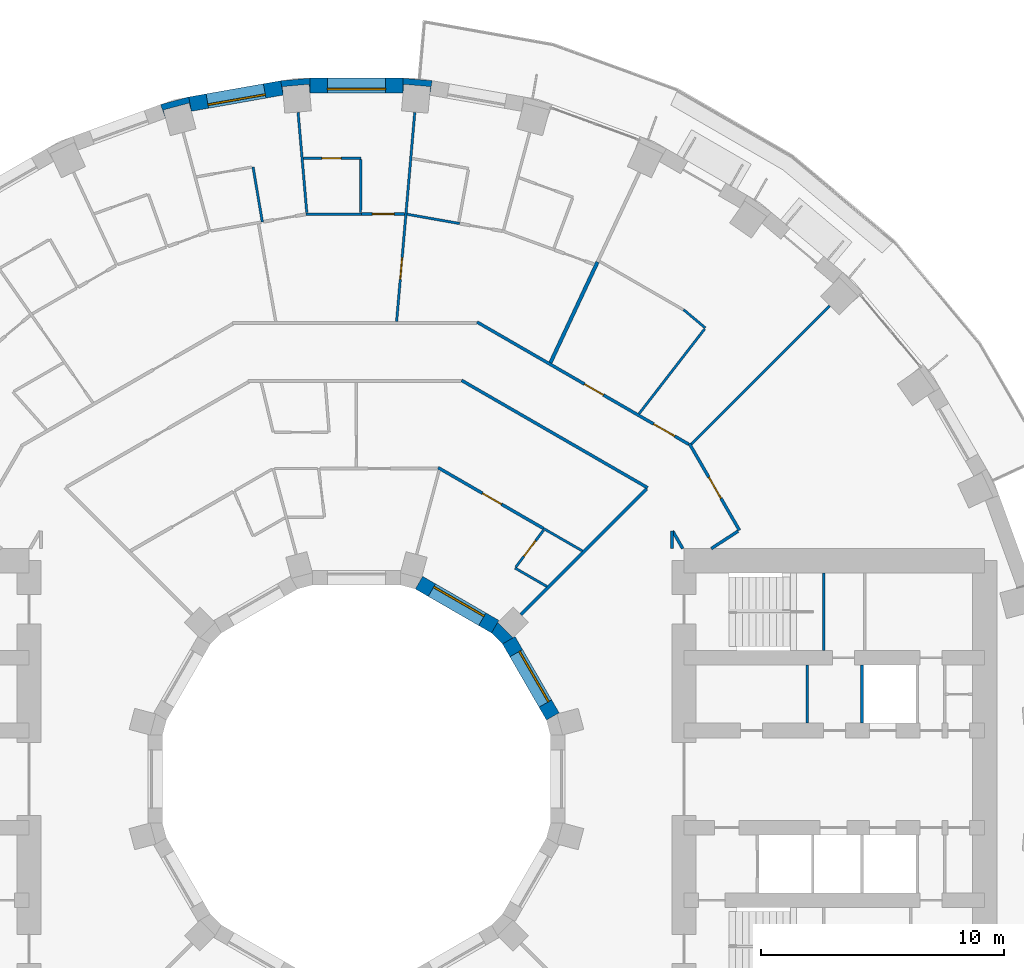
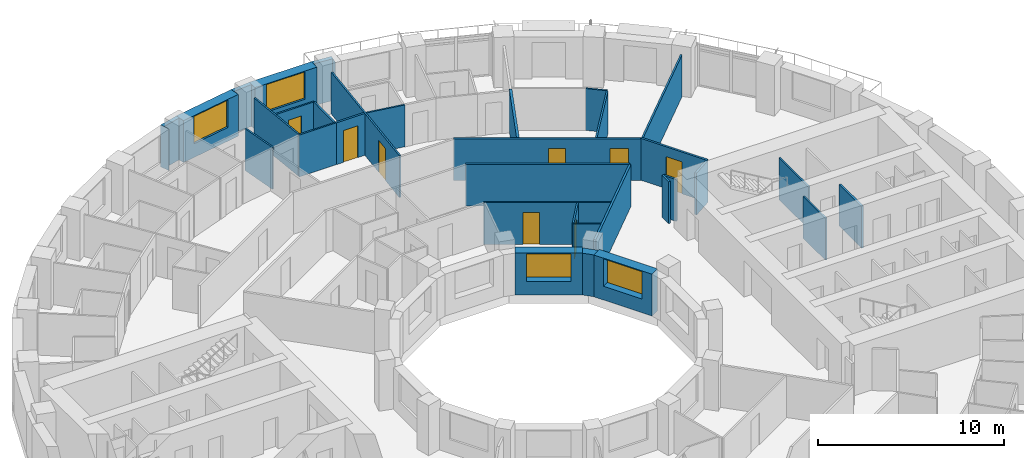
# One storey, part 12 of 15: 34 walls, 8 doors, 4 windows, 12 openings.
"""IFC4 building model written with IfcOpenShell, lengths in metres."""

from ifc_helpers import new_model, si_unit, direction, frame, frame_2d, origin, place, context, subcontext, project, spatial, polyline, rectangle, outline, extrude, material, layer, layer_set, type_object, element, fill, save


model = new_model("IFC4")

# Units and contexts
model_context = context("Model", 3, precision=1e-05, world=origin(), true_north=direction((0.0, 1.0)))
body_context = subcontext(model_context, "Body", "Model", "MODEL_VIEW")
ifc_project = project(units=[si_unit("LENGTHUNIT", "METRE"), si_unit("AREAUNIT", "SQUARE_METRE"), si_unit("VOLUMEUNIT", "CUBIC_METRE"), si_unit("PLANEANGLEUNIT", "RADIAN"), si_unit("MASSUNIT", "GRAM", prefix="KILO")], contexts=[model_context])

# Site, building, storey
site_placement = place(None, origin())
site = spatial("IfcSite", under=ifc_project, at=site_placement, CompositionType="ELEMENT")
building_placement = place(site_placement, origin())
building = spatial("IfcBuilding", under=site, at=building_placement, Name="Saqina Gate Tower", CompositionType="ELEMENT")
storey_placement = place(building_placement, frame((0.0, 0.0, 69.199951171875)))
storey = spatial("IfcBuildingStorey", under=building, at=storey_placement, Name="L19", CompositionType="ELEMENT", Elevation=69.199951171875)

# Walls
ifc_material_1 = material(Name="Brick masonry (red)", Category="masonry")
wall_type_1 = type_object("IfcWallType", Name="BRICK PIER COPING RED", PredefinedType="SOLIDWALL", material=ifc_material_1)
wall_1_placement = place(storey_placement, origin())
element("IfcWall", 1, at=wall_1_placement, inside=storey, type_object=wall_type_1, Name="Pier cap L19 column 9", PredefinedType="SOLIDWALL", context=body_context, shape_type="SweptSolid", body=[
    extrude(outline(polyline([(3.122802734375, 28.78466796875), (1.9228515625, 28.8896484375), (1.9228515625, 28.28955078125), (1.95361328125, 28.638671875), (3.04931640625, 28.54296875), (3.018798828125, 28.19384765625), (3.122802734375, 28.78466796875)])), origin(), (0.0, 0.0, 1.0), 2.75),
])
wall_2_placement = place(storey_placement, origin())
element("IfcWall", 2, at=wall_2_placement, inside=storey, type_object=wall_type_1, Name="Pier cap L19 column 10", PredefinedType="SOLIDWALL", context=body_context, shape_type="SweptSolid", body=[
    extrude(outline(polyline([(-1.9228515625, 28.8896484375), (-3.122802734375, 28.78466796875), (-3.018798828125, 28.19384765625), (-3.04931640625, 28.54296875), (-1.95361328125, 28.638671875), (-1.9228515625, 28.28955078125), (-1.9228515625, 28.8896484375)])), origin(), (0.0, 0.0, 1.0), 2.75),
])
wall_3_placement = place(storey_placement, origin())
element("IfcWall", 3, at=wall_3_placement, inside=storey, type_object=wall_type_1, Name="Pier cap L19 column 11", PredefinedType="SOLIDWALL", context=body_context, shape_type="SweptSolid", body=[
    extrude(outline(polyline([(-6.910400390625, 28.11669921875), (-8.073974609375, 27.80517578125), (-7.86865234375, 27.2412109375), (-7.95947265625, 27.57958984375), (-6.896728515625, 27.864501953125), (-6.80615234375, 27.52587890625), (-6.910400390625, 28.11669921875)])), origin(), (0.0, 0.0, 1.0), 2.75),
])
ifc_material_2 = material(Name="Gypsum board on steel studs", Category="steel")
ifc_layer_1 = layer(ifc_material_2, 0.10009765625)
ifc_layer_set_1 = layer_set([ifc_layer_1], Name="CORE PARTITION")
wall_type_2 = type_object("IfcWallType", Name="CORE PARTITION", PredefinedType="PARTITIONING", material=ifc_layer_set_1)
wall_4_placement = place(storey_placement, frame((18.582763671875, 2.300048828125, 0.0), z_axis=(0.0, 0.0, 1.0), x_axis=(0.0, 1.0, 0.0)))
element("IfcWall", 4, at=wall_4_placement, inside=storey, type_object=wall_type_2, Name="L19-CP-E01", PredefinedType="PARTITIONING", context=body_context, shape_type="SweptSolid", body=[
    extrude(rectangle(XDim=2.39990234375, YDim=0.10009765625, at=frame_2d((1.199951171875, 0.0))), origin(), (0.0, 0.0, 1.0), 2.75),
])

# Wall, opening, window
ifc_material_3 = material(Name="Brick masonry (red)", Category="masonry")
ifc_layer_2 = layer(ifc_material_3, 0.60009765625)
ifc_layer_set_2 = layer_set([ifc_layer_2], Name="FW-BRICK-RED")
wall_type_3 = type_object("IfcWallType", Name="FW-BRICK-RED", PredefinedType="SOLIDWALL", material=ifc_layer_set_2)
wall_5_placement = place(storey_placement, frame((1.9228515625, 28.589599609375, 0.0), z_axis=(0.0, 0.0, 1.0), x_axis=(-1.0, 0.0, 0.0)))
wall_5 = element("IfcWall", 5, at=wall_5_placement, inside=storey, type_object=wall_type_3, Name="Facade wall L19 facet 9", PredefinedType="SOLIDWALL", context=body_context, shape_type="SweptSolid", body=[
    extrude(rectangle(XDim=3.845703125, YDim=0.60009765625, at=frame_2d((1.9228515625, 0.0))), origin(), (0.0, 0.0, 1.0), 2.75),
])
opening_1_placement = place(wall_5_placement, frame((0.722900390625, 0.0, 0.89990234375)))
opening_1 = element("IfcOpeningElement", 6, at=opening_1_placement, cuts=wall_5, Name="Opening G05-W03", PredefinedType="OPENING", context=body_context, shape_type="SweptSolid", body=[
    extrude(rectangle(XDim=2.39990234375, YDim=1.800048828125, at=frame_2d((1.199951171875, 0.89990234375))), frame((0.0, 0.31201171875, 0.0), z_axis=(0.0, -1.0, 0.0), x_axis=(1.0, 0.0, 0.0)), (0.0, 0.0, 1.0), 0.6240234375),
])
ifc_material_4 = material(Name="Aluminium glazing", Category="aluminium")
window_type_1 = type_object("IfcWindowType", Name="WN-A", PartitioningType="SINGLE_PANEL", PredefinedType="WINDOW", material=ifc_material_4)
window_1_placement = place(opening_1_placement, origin())
window_1 = element("IfcWindow", 7, at=window_1_placement, inside=storey, type_object=window_type_1, Name="Window L19 facet 9", OverallHeight=1.800048828125, OverallWidth=2.39990234375, PartitioningType="SINGLE_PANEL", PredefinedType="WINDOW", context=body_context, shape_type="SweptSolid", body=[
    extrude(rectangle(XDim=2.39990234375, YDim=1.800048828125, at=frame_2d((1.199951171875, 0.89990234375))), frame((0.0, 0.179931640625, 0.0), z_axis=(0.0, -1.0, 0.0), x_axis=(1.0, 0.0, 0.0)), (0.0, 0.0, 1.0), 0.06005859375),
])
fill(opening_1, window_1)

wall_6_placement = place(storey_placement, frame((-3.07080078125, 28.4892578125, 0.0), z_axis=(0.0, 0.0, 1.0), x_axis=(-0.984800809218, -0.173687553279, 0.0)))
wall_6 = element("IfcWall", 8, at=wall_6_placement, inside=storey, type_object=wall_type_3, Name="Facade wall L19 facet 10", PredefinedType="SOLIDWALL", context=body_context, shape_type="SweptSolid", body=[
    extrude(rectangle(XDim=3.845703125, YDim=0.60009765625, at=frame_2d((1.9228515625, 0.0))), origin(), (0.0, 0.0, 1.0), 2.75),
])
opening_2_placement = place(wall_6_placement, frame((0.722900390625, 0.0, 0.89990234375)))
opening_2 = element("IfcOpeningElement", 9, at=opening_2_placement, cuts=wall_6, Name="Opening G05-W04", PredefinedType="OPENING", context=body_context, shape_type="SweptSolid", body=[
    extrude(rectangle(XDim=2.39990234375, YDim=1.800048828125, at=frame_2d((1.199951171875, 0.89990234375))), frame((0.0, 0.31201171875, 0.0), z_axis=(0.0, -1.0, 0.0), x_axis=(1.0, 0.0, 0.0)), (0.0, 0.0, 1.0), 0.6240234375),
])
window_2_placement = place(opening_2_placement, origin())
window_2 = element("IfcWindow", 10, at=window_2_placement, inside=storey, type_object=window_type_1, Name="Window L19 facet 10", OverallHeight=1.800048828125, OverallWidth=2.39990234375, PartitioningType="SINGLE_PANEL", PredefinedType="WINDOW", context=body_context, shape_type="SweptSolid", body=[
    extrude(rectangle(XDim=2.39990234375, YDim=1.800048828125, at=frame_2d((1.199951171875, 0.89990234375))), frame((0.0, 0.179931640625, 0.0), z_axis=(0.0, -1.0, 0.0), x_axis=(1.0, 0.0, 0.0)), (0.0, 0.0, 1.0), 0.06005859375),
])
fill(opening_2, window_2)

ifc_material_5 = material(Name="Glazed ceramic tile", Category="ceramic")
ifc_layer_3 = layer(ifc_material_5, 0.60009765625)
ifc_layer_set_3 = layer_set([ifc_layer_3], Name="IW-TILE")
wall_type_4 = type_object("IfcWallType", Name="IW-TILE", PredefinedType="SOLIDWALL", material=ifc_layer_set_3)
wall_7_placement = place(storey_placement, frame((8.09423828125, 2.580322265625, 0.0), z_axis=(0.0, 0.0, 1.0), x_axis=(-0.499992569217, 0.866029693906, 0.0)))
wall_7 = element("IfcWall", 11, at=wall_7_placement, inside=storey, type_object=wall_type_4, Name="Well wall L19 facet 1", PredefinedType="SOLIDWALL", context=body_context, shape_type="SweptSolid", body=[
    extrude(rectangle(XDim=3.625, YDim=0.60009765625, at=frame_2d((1.8125, 0.0))), origin(), (0.0, 0.0, 1.0), 2.75),
])
opening_3_placement = place(wall_7_placement, frame((0.612548828125, 0.0, 0.89990234375)))
opening_3 = element("IfcOpeningElement", 12, at=opening_3_placement, cuts=wall_7, Name="Opening G05-W23", PredefinedType="OPENING", context=body_context, shape_type="SweptSolid", body=[
    extrude(rectangle(XDim=2.39990234375, YDim=1.800048828125, at=frame_2d((1.199951171875, 0.89990234375))), frame((0.0, 0.31201171875, 0.0), z_axis=(0.0, -1.0, 0.0), x_axis=(1.0, 0.0, 0.0)), (0.0, 0.0, 1.0), 0.6240234375),
])
ifc_material_6 = material(Name="Aluminium glazing", Category="aluminium")
window_type_2 = type_object("IfcWindowType", Name="WN-W", PartitioningType="SINGLE_PANEL", PredefinedType="WINDOW", material=ifc_material_6)
window_3_placement = place(opening_3_placement, origin())
window_3 = element("IfcWindow", 13, at=window_3_placement, inside=storey, type_object=window_type_2, Name="Well window L19 facet 1", OverallHeight=1.800048828125, OverallWidth=2.39990234375, PartitioningType="SINGLE_PANEL", PredefinedType="WINDOW", context=body_context, shape_type="SweptSolid", body=[
    extrude(rectangle(XDim=2.39990234375, YDim=1.800048828125, at=frame_2d((1.199951171875, 0.89990234375))), frame((0.0, -0.119873046875, 0.0), z_axis=(0.0, -1.0, 0.0), x_axis=(1.0, 0.0, 0.0)), (0.0, 0.0, 1.0), 0.06005859375),
])
fill(opening_3, window_3)

wall_8_placement = place(storey_placement, frame((5.7197265625, 6.28173828125, 0.0), z_axis=(0.0, 0.0, 1.0), x_axis=(-0.866029693906, 0.499992569217, 0.0)))
wall_8 = element("IfcWall", 14, at=wall_8_placement, inside=storey, type_object=wall_type_4, Name="Well wall L19 facet 2", PredefinedType="SOLIDWALL", context=body_context, shape_type="SweptSolid", body=[
    extrude(rectangle(XDim=3.625, YDim=0.60009765625, at=frame_2d((1.8125, 0.0))), origin(), (0.0, 0.0, 1.0), 2.75),
])
opening_4_placement = place(wall_8_placement, frame((0.612548828125, 0.0, 0.89990234375)))
opening_4 = element("IfcOpeningElement", 15, at=opening_4_placement, cuts=wall_8, Name="Opening G05-W24", PredefinedType="OPENING", context=body_context, shape_type="SweptSolid", body=[
    extrude(rectangle(XDim=2.39990234375, YDim=1.800048828125, at=frame_2d((1.199951171875, 0.89990234375))), frame((0.0, 0.31201171875, 0.0), z_axis=(0.0, -1.0, 0.0), x_axis=(1.0, 0.0, 0.0)), (0.0, 0.0, 1.0), 0.6240234375),
])
window_4_placement = place(opening_4_placement, origin())
window_4 = element("IfcWindow", 16, at=window_4_placement, inside=storey, type_object=window_type_2, Name="Well window L19 facet 2", OverallHeight=1.800048828125, OverallWidth=2.39990234375, PartitioningType="SINGLE_PANEL", PredefinedType="WINDOW", context=body_context, shape_type="SweptSolid", body=[
    extrude(rectangle(XDim=2.39990234375, YDim=1.800048828125, at=frame_2d((1.199951171875, 0.89990234375))), frame((0.0, -0.119873046875, 0.0), z_axis=(0.0, -1.0, 0.0), x_axis=(1.0, 0.0, 0.0)), (0.0, 0.0, 1.0), 0.06005859375),
])
fill(opening_4, window_4)

# Walls
ifc_material_7 = material(Name="Gypsum board on steel studs, 100 mm", Category="steel")
ifc_layer_4 = layer(ifc_material_7, 0.10009765625)
ifc_layer_set_4 = layer_set([ifc_layer_4], Name="PARTITION 100")
wall_type_5 = type_object("IfcWallType", Name="PARTITION 100", PredefinedType="PARTITIONING", material=ifc_layer_set_4)
wall_9_placement = place(storey_placement, frame((-2.405029296875, 27.48486328125, 0.0), z_axis=(0.0, 0.0, 1.0), x_axis=(0.086512794622, -0.996250739707, 0.0)))
element("IfcWall", 17, at=wall_9_placement, inside=storey, type_object=wall_type_5, Name="PARTITION PW3-04", PredefinedType="PARTITIONING", context=body_context, shape_type="SweptSolid", body=[
    extrude(rectangle(XDim=4.1484375, YDim=0.10009765625, at=frame_2d((2.07421875, 0.0))), origin(), (0.0, 0.0, 1.0), 2.75),
])
wall_10_placement = place(storey_placement, frame((-4.261962890625, 25.23291015625, 0.0), z_axis=(0.0, 0.0, 1.0), x_axis=(0.166550297596, -0.986032960083, 0.0)))
element("IfcWall", 18, at=wall_10_placement, inside=storey, type_object=wall_type_5, Name="PARTITION PW3-08", PredefinedType="PARTITIONING", context=body_context, shape_type="SweptSolid", body=[
    extrude(rectangle(XDim=2.300048828125, YDim=0.10009765625, at=frame_2d((1.14990234375, 0.0))), origin(), (0.0, 0.0, 1.0), 2.75),
])
wall_11_placement = place(storey_placement, frame((13.48681640625, 19.348876953125, 0.0), z_axis=(0.0, 0.0, 1.0), x_axis=(0.765126879229, -0.643879537399, 0.0)))
element("IfcWall", 19, at=wall_11_placement, inside=storey, type_object=wall_type_5, Name="PARTITION PW3-35", PredefinedType="PARTITIONING", context=body_context, shape_type="SweptSolid", body=[
    extrude(rectangle(XDim=1.173828125, YDim=0.10009765625, at=frame_2d((0.5869140625, 0.0))), origin(), (0.0, 0.0, 1.0), 2.75),
])
wall_12_placement = place(storey_placement, frame((6.5390625, 8.696044921875, 0.0), z_axis=(0.0, 0.0, 1.0), x_axis=(0.86577516296, -0.500433179557, 0.0)))
element("IfcWall", 20, at=wall_12_placement, inside=storey, type_object=wall_type_5, Name="PARTITION PW3-45", PredefinedType="PARTITIONING", context=body_context, shape_type="SweptSolid", body=[
    extrude(rectangle(XDim=1.516357421875, YDim=0.10009765625, at=frame_2d((0.75830078125, 0.0))), origin(), (0.0, 0.0, 1.0), 2.75),
])
wall_13_placement = place(storey_placement, frame((7.706787109375, 10.3310546875, 0.0), z_axis=(0.0, 0.0, 1.0), x_axis=(0.865872660715, -0.500264465484, 0.0)))
element("IfcWall", 21, at=wall_13_placement, inside=storey, type_object=wall_type_5, Name="PARTITION PW3-46", PredefinedType="PARTITIONING", context=body_context, shape_type="SweptSolid", body=[
    extrude(rectangle(XDim=1.8583984375, YDim=0.10009765625, at=frame_2d((0.92919921875, 0.0))), origin(), (0.0, 0.0, 1.0), 2.75),
])
wall_14_placement = place(storey_placement, frame((2.087158203125, 23.28125, 0.0), z_axis=(0.0, 0.0, 1.0), x_axis=(0.984790246942, -0.173747430277, 0.0)))
element("IfcWall", 22, at=wall_14_placement, inside=storey, type_object=wall_type_5, Name="PARTITION PW3-56", PredefinedType="PARTITIONING", context=body_context, shape_type="SweptSolid", body=[
    extrude(rectangle(XDim=2.20458984375, YDim=0.10009765625, at=frame_2d((1.102294921875, 0.0))), origin(), (0.0, 0.0, 1.0), 2.75),
])
wall_15_placement = place(storey_placement, frame((-2.0888671875, 23.2900390625, 0.0), z_axis=(0.0, 0.0, 1.0), x_axis=(1.0, 0.0, 0.0)))
element("IfcWall", 23, at=wall_15_placement, inside=storey, type_object=wall_type_5, Name="PARTITION PW3-65", PredefinedType="PARTITIONING", context=body_context, shape_type="SweptSolid", body=[
    extrude(rectangle(XDim=2.306884765625, YDim=0.10009765625, at=frame_2d((1.1533203125, 0.0))), origin(), (0.0, 0.0, 1.0), 2.75),
])

# Wall, opening, door
wall_16_placement = place(storey_placement, frame((-2.18896484375, 25.590087890625, 0.0), z_axis=(0.0, 0.0, 1.0), x_axis=(1.0, 0.0, 0.0)))
wall_16 = element("IfcWall", 24, at=wall_16_placement, inside=storey, type_object=wall_type_5, Name="PARTITION PW3-66", PredefinedType="PARTITIONING", context=body_context, shape_type="SweptSolid", body=[
    extrude(rectangle(XDim=2.373046875, YDim=0.10009765625, at=frame_2d((1.1865234375, 0.0))), origin(), (0.0, 0.0, 1.0), 2.75),
])
opening_5_placement = place(wall_16_placement, frame((0.761474609375, 0.0, 0.0)))
opening_5 = element("IfcOpeningElement", 25, at=opening_5_placement, cuts=wall_16, Name="Opening G05-D14", PredefinedType="OPENING", context=body_context, shape_type="SweptSolid", body=[
    extrude(rectangle(XDim=0.800048828125, YDim=2.10009765625, at=frame_2d((0.39990234375, 1.050048828125))), frame((0.0, 0.06201171875, 0.0), z_axis=(0.0, -1.0, 0.0), x_axis=(1.0, 0.0, 0.0)), (0.0, 0.0, 1.0), 0.1240234375),
])
ifc_material_8 = material(Name="Timber door leaf, 800 mm", Category="wood")
door_type_1 = type_object("IfcDoorType", Name="DOOR 800 TIMBER", OperationType="SINGLE_SWING_LEFT", PredefinedType="DOOR", material=ifc_material_8)
door_1_placement = place(opening_5_placement, origin())
door_1 = element("IfcDoor", 26, at=door_1_placement, inside=storey, type_object=door_type_1, Name="DOOR G05-D14", OperationType="SINGLE_SWING_LEFT", OverallHeight=2.10009765625, OverallWidth=0.800048828125, PredefinedType="DOOR", context=body_context, shape_type="SweptSolid", body=[
    extrude(rectangle(XDim=0.800048828125, YDim=2.10009765625, at=frame_2d((0.39990234375, 1.050048828125))), frame((0.0, 0.02490234375, 0.0), z_axis=(0.0, -1.0, 0.0), x_axis=(1.0, 0.0, 0.0)), (0.0, 0.0, 1.0), 0.050048828125),
])
fill(opening_5, door_1)

# Walls
wall_17_placement = place(storey_placement, frame((13.80712890625, 13.80712890625, 0.0), z_axis=(0.0, 0.0, 1.0), x_axis=(0.707106781187, 0.707106781187, 0.0)))
element("IfcWall", 27, at=wall_17_placement, inside=storey, type_object=wall_type_5, Name="PARTITION PW3-88", PredefinedType="PARTITIONING", context=body_context, shape_type="SweptSolid", body=[
    extrude(rectangle(XDim=8.063720703125, YDim=0.10009765625, at=frame_2d((4.03173828125, 0.0))), origin(), (0.0, 0.0, 1.0), 2.75),
])
wall_18_placement = place(storey_placement, frame((11.648193359375, 15.055419921875, 0.0), z_axis=(0.0, 0.0, 1.0), x_axis=(0.611909290422, 0.790927948865, 0.0)))
element("IfcWall", 28, at=wall_18_placement, inside=storey, type_object=wall_type_5, Name="PARTITION PW3-93", PredefinedType="PARTITIONING", context=body_context, shape_type="SweptSolid", body=[
    extrude(rectangle(XDim=4.422607421875, YDim=0.10009765625, at=frame_2d((2.21142578125, 0.0))), origin(), (0.0, 0.0, 1.0), 2.75),
])

# Wall, opening, door
wall_19_placement = place(storey_placement, frame((6.569091796875, 8.73583984375, 0.0), z_axis=(0.0, 0.0, 1.0), x_axis=(0.601046793523, 0.799213833711, 0.0)))
wall_19 = element("IfcWall", 29, at=wall_19_placement, inside=storey, type_object=wall_type_5, Name="PARTITION PW3-94", PredefinedType="PARTITIONING", context=body_context, shape_type="SweptSolid", body=[
    extrude(rectangle(XDim=1.902099609375, YDim=0.10009765625, at=frame_2d((0.951171875, 0.0))), origin(), (0.0, 0.0, 1.0), 2.75),
])
opening_6_placement = place(wall_19_placement, frame((0.557373046875, 0.0, 0.0)))
opening_6 = element("IfcOpeningElement", 30, at=opening_6_placement, cuts=wall_19, Name="Opening G05-D03", PredefinedType="OPENING", context=body_context, shape_type="SweptSolid", body=[
    extrude(rectangle(XDim=0.800048828125, YDim=2.10009765625, at=frame_2d((0.39990234375, 1.050048828125))), frame((0.0, 0.06201171875, 0.0), z_axis=(0.0, -1.0, 0.0), x_axis=(1.0, 0.0, 0.0)), (0.0, 0.0, 1.0), 0.1240234375),
])
door_2_placement = place(opening_6_placement, origin())
door_2 = element("IfcDoor", 31, at=door_2_placement, inside=storey, type_object=door_type_1, Name="DOOR G05-D03", OperationType="SINGLE_SWING_RIGHT", OverallHeight=2.10009765625, OverallWidth=0.800048828125, PredefinedType="DOOR", context=body_context, shape_type="SweptSolid", body=[
    extrude(rectangle(XDim=0.800048828125, YDim=2.10009765625, at=frame_2d((0.39990234375, 1.050048828125))), frame((0.0, 0.02490234375, 0.0), z_axis=(0.0, -1.0, 0.0), x_axis=(1.0, 0.0, 0.0)), (0.0, 0.0, 1.0), 0.050048828125),
])
fill(opening_6, door_2)

wall_20_placement = place(storey_placement, frame((1.656494140625, 18.86181640625, 0.0), z_axis=(0.0, 0.0, 1.0), x_axis=(0.086481121159, 0.996253489672, 0.0)))
wall_20 = element("IfcWall", 32, at=wall_20_placement, inside=storey, type_object=wall_type_5, Name="PARTITION PW3-111", PredefinedType="PARTITIONING", context=body_context, shape_type="SweptSolid", body=[
    extrude(rectangle(XDim=8.655517578125, YDim=0.10009765625, at=frame_2d((4.32763671875, 0.0))), origin(), (0.0, 0.0, 1.0), 2.75),
])
opening_7_placement = place(wall_20_placement, frame((1.7412109375, 0.0, 0.0)))
opening_7 = element("IfcOpeningElement", 33, at=opening_7_placement, cuts=wall_20, Name="Opening G05-D10", PredefinedType="OPENING", context=body_context, shape_type="SweptSolid", body=[
    extrude(rectangle(XDim=0.89990234375, YDim=2.10009765625, at=frame_2d((0.449951171875, 1.050048828125))), frame((0.0, 0.06201171875, 0.0), z_axis=(0.0, -1.0, 0.0), x_axis=(1.0, 0.0, 0.0)), (0.0, 0.0, 1.0), 0.1240234375),
])
ifc_material_9 = material(Name="Timber door leaf, 900 mm", Category="wood")
door_type_2 = type_object("IfcDoorType", Name="DOOR 900 TIMBER", OperationType="SINGLE_SWING_LEFT", PredefinedType="DOOR", material=ifc_material_9)
door_3_placement = place(opening_7_placement, frame((0.89990234375, 0.0, 0.0), z_axis=(0.0, 0.0, 1.0), x_axis=(-1.0, 0.0, 0.0)))
door_3 = element("IfcDoor", 34, at=door_3_placement, inside=storey, type_object=door_type_2, Name="DOOR G05-D10", OperationType="SINGLE_SWING_RIGHT", OverallHeight=2.10009765625, OverallWidth=0.89990234375, PredefinedType="DOOR", context=body_context, shape_type="SweptSolid", body=[
    extrude(rectangle(XDim=0.89990234375, YDim=2.10009765625, at=frame_2d((0.449951171875, 1.050048828125))), frame((0.0, 0.02490234375, 0.0), z_axis=(0.0, -1.0, 0.0), x_axis=(1.0, 0.0, 0.0)), (0.0, 0.0, 1.0), 0.050048828125),
])
fill(opening_7, door_3)

# Walls
wall_21_placement = place(storey_placement, frame((0.16845703125, 23.3525390625, 0.0), z_axis=(0.0, 0.0, 1.0), x_axis=(0.006919477202, 0.999976060131, 0.0)))
element("IfcWall", 35, at=wall_21_placement, inside=storey, type_object=wall_type_5, Name="PARTITION PW3-113", PredefinedType="PARTITIONING", context=body_context, shape_type="SweptSolid", body=[
    extrude(rectangle(XDim=2.1875, YDim=0.10009765625, at=frame_2d((1.09375, 0.0))), origin(), (0.0, 0.0, 1.0), 2.75),
])
ifc_material_10 = material(Name="Gypsum board on steel studs, 125 mm, fire rated", Category="steel")
ifc_layer_5 = layer(ifc_material_10, 0.125)
ifc_layer_set_5 = layer_set([ifc_layer_5], Name="PARTITION EI 30 125")
wall_type_6 = type_object("IfcWallType", Name="PARTITION EI 30 125", PredefinedType="PARTITIONING", material=ifc_layer_set_5)
wall_22_placement = place(storey_placement, frame((13.034912109375, 10.222412109375, 0.0), z_axis=(0.0, 0.0, 1.0), x_axis=(0.49991670217, -0.866073490468, 0.0)))
element("IfcWall", 36, at=wall_22_placement, inside=storey, type_object=wall_type_6, Name="PARTITION PW1-03", PredefinedType="PARTITIONING", context=body_context, shape_type="SweptSolid", body=[
    extrude(rectangle(XDim=0.834228515625, YDim=0.125, at=frame_2d((0.4169921875, 0.0))), origin(), (0.0, 0.0, 1.0), 2.75),
])

# Wall, opening, door
wall_23_placement = place(storey_placement, frame((13.726806640625, 13.825439453125, 0.0), z_axis=(0.0, 0.0, 1.0), x_axis=(0.49993934159, -0.866060422101, 0.0)))
wall_23 = element("IfcWall", 37, at=wall_23_placement, inside=storey, type_object=wall_type_6, Name="PARTITION PW1-04", PredefinedType="PARTITIONING", context=body_context, shape_type="SweptSolid", body=[
    extrude(rectangle(XDim=4.125, YDim=0.125, at=frame_2d((2.0625, 0.0))), origin(), (0.0, 0.0, 1.0), 2.75),
])
opening_8_placement = place(wall_23_placement, frame((1.5986328125, 0.0, 0.0)))
opening_8 = element("IfcOpeningElement", 38, at=opening_8_placement, cuts=wall_23, Name="Opening G05-D01", PredefinedType="OPENING", context=body_context, shape_type="SweptSolid", body=[
    extrude(rectangle(XDim=1.0, YDim=2.10009765625, at=frame_2d((0.5, 1.050048828125))), frame((0.0, 0.074462890625, 0.0), z_axis=(0.0, -1.0, 0.0), x_axis=(1.0, 0.0, 0.0)), (0.0, 0.0, 1.0), 0.14892578125),
])
ifc_material_11 = material(Name="Fire door leaf EI 30, 1000 mm")
door_type_3 = type_object("IfcDoorType", Name="DOOR 1000 EI 30", OperationType="SINGLE_SWING_LEFT", PredefinedType="DOOR", material=ifc_material_11)
door_4_placement = place(opening_8_placement, frame((1.0, 0.0, 0.0), z_axis=(0.0, 0.0, 1.0), x_axis=(-1.0, 0.0, 0.0)))
door_4 = element("IfcDoor", 39, at=door_4_placement, inside=storey, type_object=door_type_3, Name="DOOR G05-D01", OperationType="SINGLE_SWING_LEFT", OverallHeight=2.10009765625, OverallWidth=1.0, PredefinedType="DOOR", context=body_context, shape_type="SweptSolid", body=[
    extrude(rectangle(XDim=1.0, YDim=2.10009765625, at=frame_2d((0.5, 1.050048828125))), frame((0.0, 0.02490234375, 0.0), z_axis=(0.0, -1.0, 0.0), x_axis=(1.0, 0.0, 0.0)), (0.0, 0.0, 1.0), 0.050048828125),
])
fill(opening_8, door_4)

wall_24_placement = place(storey_placement, frame((3.367431640625, 12.836181640625, 0.0), z_axis=(0.0, 0.0, 1.0), x_axis=(0.866042781899, -0.499969899014, 0.0)))
wall_24 = element("IfcWall", 40, at=wall_24_placement, inside=storey, type_object=wall_type_6, Name="PARTITION PW1-11", PredefinedType="PARTITIONING", context=body_context, shape_type="SweptSolid", body=[
    extrude(rectangle(XDim=5.010498046875, YDim=0.125, at=frame_2d((2.50537109375, 0.0))), origin(), (0.0, 0.0, 1.0), 2.75),
])
opening_9_placement = place(wall_24_placement, frame((2.1162109375, 0.0, 0.0)))
opening_9 = element("IfcOpeningElement", 41, at=opening_9_placement, cuts=wall_24, Name="Opening G05-D05", PredefinedType="OPENING", context=body_context, shape_type="SweptSolid", body=[
    extrude(rectangle(XDim=0.89990234375, YDim=2.10009765625, at=frame_2d((0.449951171875, 1.050048828125))), frame((0.0, 0.074462890625, 0.0), z_axis=(0.0, -1.0, 0.0), x_axis=(1.0, 0.0, 0.0)), (0.0, 0.0, 1.0), 0.14892578125),
])
ifc_material_12 = material(Name="Fire door leaf EI 30, 900 mm")
door_type_4 = type_object("IfcDoorType", Name="DOOR 900 EI 30", OperationType="SINGLE_SWING_LEFT", PredefinedType="DOOR", material=ifc_material_12)
door_5_placement = place(opening_9_placement, origin())
door_5 = element("IfcDoor", 42, at=door_5_placement, inside=storey, type_object=door_type_4, Name="DOOR G05-D05", OperationType="SINGLE_SWING_RIGHT", OverallHeight=2.10009765625, OverallWidth=0.89990234375, PredefinedType="DOOR", context=body_context, shape_type="SweptSolid", body=[
    extrude(rectangle(XDim=0.89990234375, YDim=2.10009765625, at=frame_2d((0.449951171875, 1.050048828125))), frame((0.0, 0.02490234375, 0.0), z_axis=(0.0, -1.0, 0.0), x_axis=(1.0, 0.0, 0.0)), (0.0, 0.0, 1.0), 0.050048828125),
])
fill(opening_9, door_5)

# Wall
wall_25_placement = place(storey_placement, frame((4.33154296875, 16.43603515625, 0.0), z_axis=(0.0, 0.0, 1.0), x_axis=(0.866073188118, -0.499917225971, 0.0)))
element("IfcWall", 43, at=wall_25_placement, inside=storey, type_object=wall_type_6, Name="PARTITION PW1-12", PredefinedType="PARTITIONING", context=body_context, shape_type="SweptSolid", body=[
    extrude(rectangle(XDim=8.861328125, YDim=0.125, at=frame_2d((4.4306640625, 0.0))), origin(), (0.0, 0.0, 1.0), 2.75),
])

# Wall, openings, doors
wall_26_placement = place(storey_placement, frame((4.974609375, 18.836181640625, 0.0), z_axis=(0.0, 0.0, 1.0), x_axis=(0.866059817553, -0.499940388867, 0.0)))
wall_26 = element("IfcWall", 44, at=wall_26_placement, inside=storey, type_object=wall_type_6, Name="PARTITION PW1-13", PredefinedType="PARTITIONING", context=body_context, shape_type="SweptSolid", body=[
    extrude(rectangle(XDim=10.085205078125, YDim=0.125, at=frame_2d((5.04248046875, 0.0))), origin(), (0.0, 0.0, 1.0), 2.75),
])
opening_10_placement = place(wall_26_placement, frame((8.404541015625, 0.0, 0.0)))
opening_10 = element("IfcOpeningElement", 45, at=opening_10_placement, cuts=wall_26, Name="Opening G05-D02", PredefinedType="OPENING", context=body_context, shape_type="SweptSolid", body=[
    extrude(rectangle(XDim=1.0, YDim=2.10009765625, at=frame_2d((0.5, 1.050048828125))), frame((0.0, 0.074462890625, 0.0), z_axis=(0.0, -1.0, 0.0), x_axis=(1.0, 0.0, 0.0)), (0.0, 0.0, 1.0), 0.14892578125),
])
opening_11_placement = place(wall_26_placement, frame((5.113525390625, 0.0, 0.0)))
opening_11 = element("IfcOpeningElement", 46, at=opening_11_placement, cuts=wall_26, Name="Opening G05-D04", PredefinedType="OPENING", context=body_context, shape_type="SweptSolid", body=[
    extrude(rectangle(XDim=0.89990234375, YDim=2.10009765625, at=frame_2d((0.449951171875, 1.050048828125))), frame((0.0, 0.074462890625, 0.0), z_axis=(0.0, -1.0, 0.0), x_axis=(1.0, 0.0, 0.0)), (0.0, 0.0, 1.0), 0.14892578125),
])
door_6_placement = place(opening_10_placement, origin())
door_6 = element("IfcDoor", 47, at=door_6_placement, inside=storey, type_object=door_type_3, Name="DOOR G05-D02", OperationType="SINGLE_SWING_LEFT", OverallHeight=2.10009765625, OverallWidth=1.0, PredefinedType="DOOR", context=body_context, shape_type="SweptSolid", body=[
    extrude(rectangle(XDim=1.0, YDim=2.10009765625, at=frame_2d((0.5, 1.050048828125))), frame((0.0, 0.02490234375, 0.0), z_axis=(0.0, -1.0, 0.0), x_axis=(1.0, 0.0, 0.0)), (0.0, 0.0, 1.0), 0.050048828125),
])
fill(opening_10, door_6)
door_7_placement = place(opening_11_placement, origin())
door_7 = element("IfcDoor", 48, at=door_7_placement, inside=storey, type_object=door_type_4, Name="DOOR G05-D04", OperationType="SINGLE_SWING_RIGHT", OverallHeight=2.10009765625, OverallWidth=0.89990234375, PredefinedType="DOOR", context=body_context, shape_type="SweptSolid", body=[
    extrude(rectangle(XDim=0.89990234375, YDim=2.10009765625, at=frame_2d((0.449951171875, 1.050048828125))), frame((0.0, 0.02490234375, 0.0), z_axis=(0.0, -1.0, 0.0), x_axis=(1.0, 0.0, 0.0)), (0.0, 0.0, 1.0), 0.050048828125),
])
fill(opening_11, door_7)

# Wall, opening, door
wall_27_placement = place(storey_placement, frame((0.218017578125, 23.2900390625, 0.0), z_axis=(0.0, 0.0, 1.0), x_axis=(1.0, 0.0, 0.0)))
wall_27 = element("IfcWall", 49, at=wall_27_placement, inside=storey, type_object=wall_type_6, Name="PARTITION PW1-26", PredefinedType="PARTITIONING", context=body_context, shape_type="SweptSolid", body=[
    extrude(rectangle(XDim=1.77001953125, YDim=0.125, at=frame_2d((0.885009765625, 0.0))), origin(), (0.0, 0.0, 1.0), 2.75),
])
opening_12_placement = place(wall_27_placement, frame((0.43505859375, 0.0, 0.0)))
opening_12 = element("IfcOpeningElement", 50, at=opening_12_placement, cuts=wall_27, Name="Opening G05-D12", PredefinedType="OPENING", context=body_context, shape_type="SweptSolid", body=[
    extrude(rectangle(XDim=0.89990234375, YDim=2.10009765625, at=frame_2d((0.449951171875, 1.050048828125))), frame((0.0, 0.074462890625, 0.0), z_axis=(0.0, -1.0, 0.0), x_axis=(1.0, 0.0, 0.0)), (0.0, 0.0, 1.0), 0.14892578125),
])
door_8_placement = place(opening_12_placement, frame((0.89990234375, 0.0, 0.0), z_axis=(0.0, 0.0, 1.0), x_axis=(-1.0, 0.0, 0.0)))
door_8 = element("IfcDoor", 51, at=door_8_placement, inside=storey, type_object=door_type_4, Name="DOOR G05-D12", OperationType="SINGLE_SWING_LEFT", OverallHeight=2.10009765625, OverallWidth=0.89990234375, PredefinedType="DOOR", context=body_context, shape_type="SweptSolid", body=[
    extrude(rectangle(XDim=0.89990234375, YDim=2.10009765625, at=frame_2d((0.449951171875, 1.050048828125))), frame((0.0, 0.02490234375, 0.0), z_axis=(0.0, -1.0, 0.0), x_axis=(1.0, 0.0, 0.0)), (0.0, 0.0, 1.0), 0.050048828125),
])
fill(opening_12, door_8)

# Walls
wall_28_placement = place(storey_placement, frame((14.62890625, 9.5, 0.0), z_axis=(0.0, 0.0, 1.0), x_axis=(0.838785586694, 0.544461880717, 0.0)))
element("IfcWall", 52, at=wall_28_placement, inside=storey, type_object=wall_type_6, Name="PARTITION PW1-39", PredefinedType="PARTITIONING", context=body_context, shape_type="SweptSolid", body=[
    extrude(rectangle(XDim=1.320556640625, YDim=0.125, at=frame_2d((0.66015625, 0.0))), origin(), (0.0, 0.0, 1.0), 2.75),
])
wall_29_placement = place(storey_placement, frame((6.78271484375, 6.78271484375, 0.0), z_axis=(0.0, 0.0, 1.0), x_axis=(0.707106781187, 0.707106781187, 0.0)))
element("IfcWall", 53, at=wall_29_placement, inside=storey, type_object=wall_type_6, Name="PARTITION PW1-43", PredefinedType="PARTITIONING", context=body_context, shape_type="SweptSolid", body=[
    extrude(rectangle(XDim=7.324462890625, YDim=0.125, at=frame_2d((3.662109375, 0.0))), origin(), (0.0, 0.0, 1.0), 2.75),
])
wall_30_placement = place(storey_placement, frame((13.0, 9.5, 0.0), z_axis=(0.0, 0.0, 1.0), x_axis=(0.0, 1.0, 0.0)))
element("IfcWall", 54, at=wall_30_placement, inside=storey, type_object=wall_type_6, Name="PARTITION PW1-54", PredefinedType="PARTITIONING", context=body_context, shape_type="SweptSolid", body=[
    extrude(rectangle(XDim=0.720458984375, YDim=0.125, at=frame_2d((0.3603515625, 0.0))), origin(), (0.0, 0.0, 1.0), 2.75),
])
ifc_material_13 = material(Name="Gypsum board on steel studs, 150 mm, fire rated", Category="steel")
ifc_layer_6 = layer(ifc_material_13, 0.14990234375)
ifc_layer_set_6 = layer_set([ifc_layer_6], Name="PARTITION EI 60 150")
wall_type_7 = type_object("IfcWallType", Name="PARTITION EI 60 150", PredefinedType="PARTITIONING", material=ifc_layer_set_6)
wall_31_placement = place(storey_placement, frame((7.998291015625, 17.16259765625, 0.0), z_axis=(0.0, 0.0, 1.0), x_axis=(0.423462967361, 0.905913414888, 0.0)))
element("IfcWall", 55, at=wall_31_placement, inside=storey, type_object=wall_type_7, Name="PARTITION PW2-02", PredefinedType="PARTITIONING", context=body_context, shape_type="SweptSolid", body=[
    extrude(rectangle(XDim=4.581787109375, YDim=0.14990234375, at=frame_2d((2.291015625, 0.0))), origin(), (0.0, 0.0, 1.0), 2.75),
])
ifc_material_14 = material(Name="Autoclaved aerated concrete block", Category="concrete")
ifc_layer_7 = layer(ifc_material_14, 0.1201171875)
ifc_layer_set_7 = layer_set([ifc_layer_7], Name="SHAFT PARTITION")
wall_type_8 = type_object("IfcWallType", Name="SHAFT PARTITION", PredefinedType="PARTITIONING", material=ifc_layer_set_7)
wall_32_placement = place(storey_placement, frame((20.840087890625, 2.300048828125, 0.0), z_axis=(0.0, 0.0, 1.0), x_axis=(0.0, 1.0, 0.0)))
element("IfcWall", 56, at=wall_32_placement, inside=storey, type_object=wall_type_8, Name="L19-CP-E02", PredefinedType="PARTITIONING", context=body_context, shape_type="SweptSolid", body=[
    extrude(rectangle(XDim=2.39990234375, YDim=0.1201171875, at=frame_2d((1.199951171875, 0.0))), origin(), (0.0, 0.0, 1.0), 2.75),
])
ifc_material_15 = material(Name="Autoclaved aerated concrete block", Category="concrete")
ifc_layer_8 = layer(ifc_material_15, 0.10009765625)
ifc_layer_set_8 = layer_set([ifc_layer_8], Name="STAIR ENCLOSURE WALL")
wall_type_9 = type_object("IfcWallType", Name="STAIR ENCLOSURE WALL", PredefinedType="PARTITIONING", material=ifc_layer_set_8)
wall_33_placement = place(storey_placement, frame((19.27001953125, 5.300048828125, 0.0), z_axis=(0.0, 0.0, 1.0), x_axis=(0.0, 1.0, 0.0)))
element("IfcWall", 57, at=wall_33_placement, inside=storey, type_object=wall_type_9, Name="L19-CP-E11", PredefinedType="PARTITIONING", context=body_context, shape_type="SweptSolid", body=[
    extrude(rectangle(XDim=3.199951171875, YDim=0.10009765625, at=frame_2d((1.60009765625, 0.0))), origin(), (0.0, 0.0, 1.0), 2.75),
])
ifc_material_16 = material(Name="Glazed ceramic tile", Category="ceramic")
wall_type_10 = type_object("IfcWallType", Name="TILE PIER COPING", PredefinedType="SOLIDWALL", material=ifc_material_16)
wall_34_placement = place(storey_placement, origin())
element("IfcWall", 58, at=wall_34_placement, inside=storey, type_object=wall_type_10, Name="Well pier cap L19 column 2", PredefinedType="SOLIDWALL", context=body_context, shape_type="SweptSolid", body=[
    extrude(outline(polyline([(5.821044921875, 6.45751953125), (5.569580078125, 6.02197265625), (6.02197265625, 5.569580078125), (6.45751953125, 5.821044921875), (5.821044921875, 6.45751953125)])), origin(), (0.0, 0.0, 1.0), 2.75),
])

save(model, "model.ifc")
